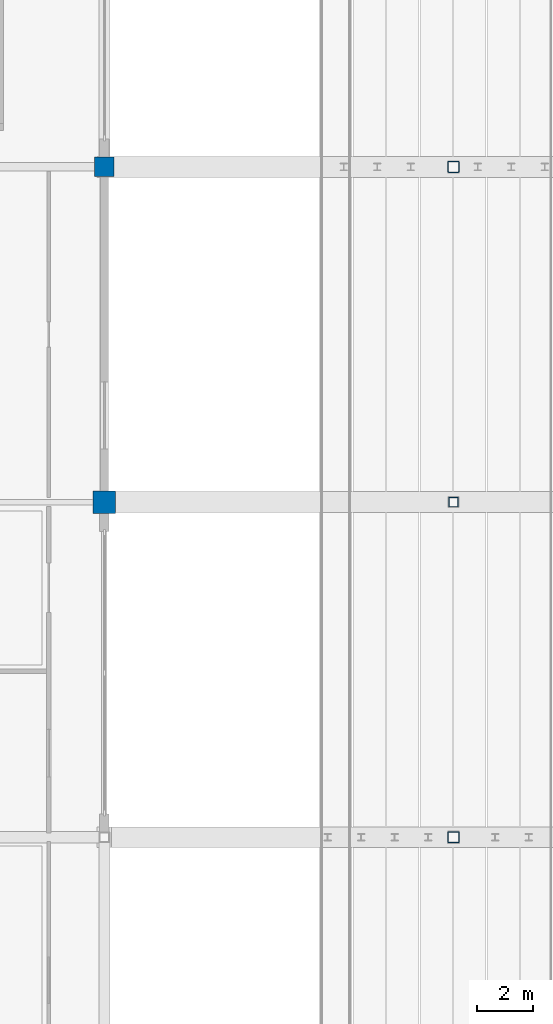
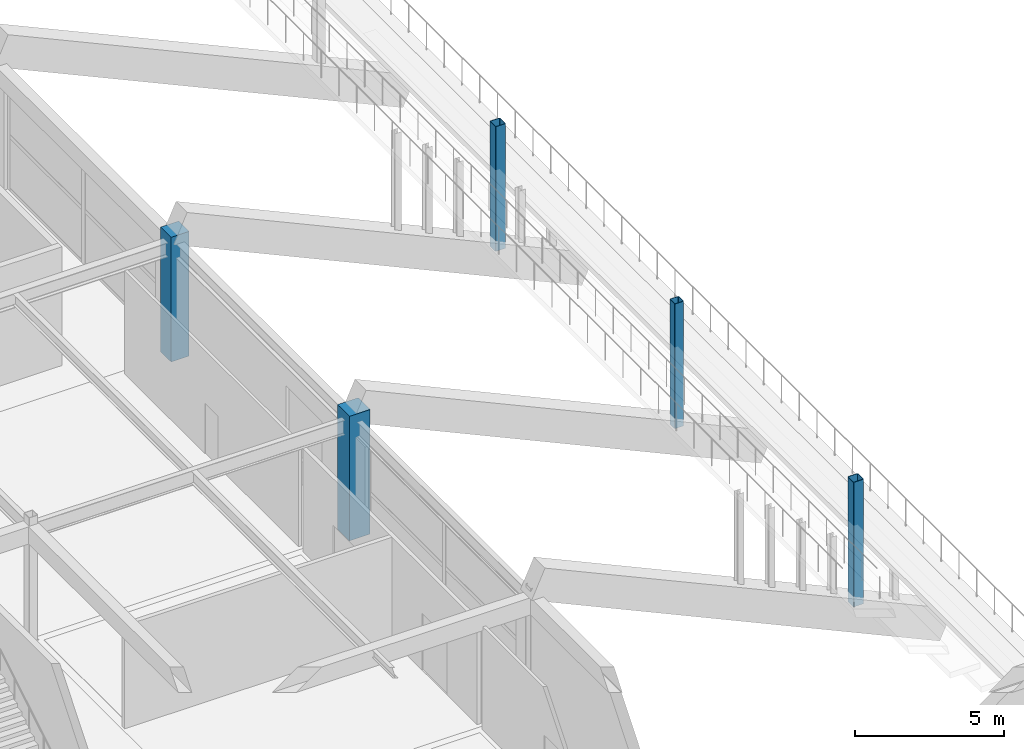
# One storey, part 4 of 128: 5 columns.
"""IFC4 building model written with IfcOpenShell, lengths in metres."""

from ifc_helpers import new_model, si_unit, direction, frame, origin, origin_2d, place, context, subcontext, project, spatial, rectangle, hollow_rectangle, extrude, material, material_profile, profile_set, type_object, element, save


model = new_model("IFC4")

# Units and contexts
model_context = context("Model", 3, precision=1e-05, world=origin(), true_north=direction((0.0, 1.0)))
body_context = subcontext(model_context, "Body", "Model", "MODEL_VIEW")
ifc_project = project(units=[si_unit("LENGTHUNIT", "METRE"), si_unit("AREAUNIT", "SQUARE_METRE"), si_unit("VOLUMEUNIT", "CUBIC_METRE"), si_unit("PLANEANGLEUNIT", "RADIAN"), si_unit("MASSUNIT", "GRAM", prefix="KILO")], contexts=[model_context])

# Site, building, storey
site_placement = place(None, origin())
site = spatial("IfcSite", under=ifc_project, at=site_placement, CompositionType="ELEMENT")
building_placement = place(site_placement, origin())
building = spatial("IfcBuilding", under=site, at=building_placement, Name="Kazenohara Klinker Stadium", CompositionType="ELEMENT")
storey_placement = place(building_placement, frame((0.0, 0.0, 15.300048828125)))
storey = spatial("IfcBuildingStorey", under=building, at=storey_placement, Name="L03", CompositionType="ELEMENT", Elevation=15.300048828125)

# Columns
ifc_material_1 = material(Name="Concrete C40/50", Category="concrete")
ifc_material_profile_1 = material_profile(ifc_material_1, rectangle(XDim=0.800048828125, YDim=0.800048828125, at=origin_2d()), Name="RC-COL-800x800")
ifc_profile_set_1 = profile_set([ifc_material_profile_1], Name="Concrete C40/50")
column_type_1 = type_object("IfcColumnType", Name="COL-RC05", PredefinedType="COLUMN", material=ifc_profile_set_1)
column_1_placement = place(storey_placement, frame((36.5, 60.0, 0.0), z_axis=(0.0, 0.0, 1.0), x_axis=(1.0, 0.0, 0.0)))
element("IfcColumn", 1, at=column_1_placement, inside=storey, type_object=column_type_1, Name="Column C05 L03 4/F", PredefinedType="COLUMN", context=body_context, shape_type="SweptSolid", body=[
    extrude(rectangle(XDim=0.800048828125, YDim=0.800048828125, at=origin_2d()), origin(), (0.0, 0.0, 1.0), 5.099853515625),
])
ifc_material_profile_2 = material_profile(ifc_material_1, rectangle(XDim=0.699951171875, YDim=0.699951171875, at=origin_2d()), Name="RC-COL-700x700")
ifc_profile_set_2 = profile_set([ifc_material_profile_2], Name="Concrete C40/50")
column_type_2 = type_object("IfcColumnType", Name="COL-RC06", PredefinedType="COLUMN", material=ifc_profile_set_2)
column_2_placement = place(storey_placement, frame((36.5, 72.0, 0.0), z_axis=(0.0, 0.0, 1.0), x_axis=(1.0, 0.0, 0.0)))
element("IfcColumn", 2, at=column_2_placement, inside=storey, type_object=column_type_2, Name="Column C06 L03 4/G", PredefinedType="COLUMN", context=body_context, shape_type="SweptSolid", body=[
    extrude(rectangle(XDim=0.699951171875, YDim=0.699951171875, at=origin_2d()), origin(), (0.0, 0.0, 1.0), 5.099853515625),
])
ifc_material_2 = material(Name="Steel S355", Category="steel")
ifc_material_profile_3 = material_profile(ifc_material_2, hollow_rectangle(XDim=0.39990234375, YDim=0.39990234375, WallThickness=0.01611328125, InnerFilletRadius=0.01611328125, OuterFilletRadius=0.031982421875, at=origin_2d()), Name="SHS-400x400x16")
ifc_profile_set_3 = profile_set([ifc_material_profile_3], Name="Steel S355")
column_type_3 = type_object("IfcColumnType", Name="COL-ST01", PredefinedType="COLUMN", material=ifc_profile_set_3)
for number, where, z_axis, x_axis, name in (
    (3, (49.0, 48.0, 0.0), (0.0, 0.0, 1.0), (1.0, 0.0, 0.0), "Canopy ring support column SC01 L03 5/E"),
    (4, (49.0, 72.0, 0.0), (0.0, 0.0, 1.0), (1.0, 0.0, 0.0), "Canopy ring support column SC01 L03 5/G"),
):
    element("IfcColumn", number, at=place(storey_placement, frame(where, z_axis=z_axis, x_axis=x_axis)), inside=storey, type_object=column_type_3, Name=name, PredefinedType="COLUMN", context=body_context, shape_type="SweptSolid", body=[
        extrude(hollow_rectangle(XDim=0.39990234375, YDim=0.39990234375, WallThickness=0.01611328125, InnerFilletRadius=0.01611328125, OuterFilletRadius=0.031982421875, at=origin_2d()), origin(), (0.0, 0.0, 1.0), 5.099853515625),
    ])
ifc_material_profile_4 = material_profile(ifc_material_2, hollow_rectangle(XDim=0.35009765625, YDim=0.35009765625, WallThickness=0.01611328125, InnerFilletRadius=0.01611328125, OuterFilletRadius=0.031982421875, at=origin_2d()), Name="SHS-350x350x16")
ifc_profile_set_4 = profile_set([ifc_material_profile_4], Name="Steel S355")
column_type_4 = type_object("IfcColumnType", Name="COL-ST02", PredefinedType="COLUMN", material=ifc_profile_set_4)
column_3_placement = place(storey_placement, frame((49.0, 60.0, 0.0), z_axis=(0.0, 0.0, 1.0), x_axis=(1.0, 0.0, 0.0)))
element("IfcColumn", 5, at=column_3_placement, inside=storey, type_object=column_type_4, Name="Canopy ring support column SC02 L03 5/F", PredefinedType="COLUMN", context=body_context, shape_type="SweptSolid", body=[
    extrude(hollow_rectangle(XDim=0.35009765625, YDim=0.35009765625, WallThickness=0.01611328125, InnerFilletRadius=0.01611328125, OuterFilletRadius=0.031982421875, at=origin_2d()), origin(), (0.0, 0.0, 1.0), 5.099853515625),
])

save(model, "model.ifc")
